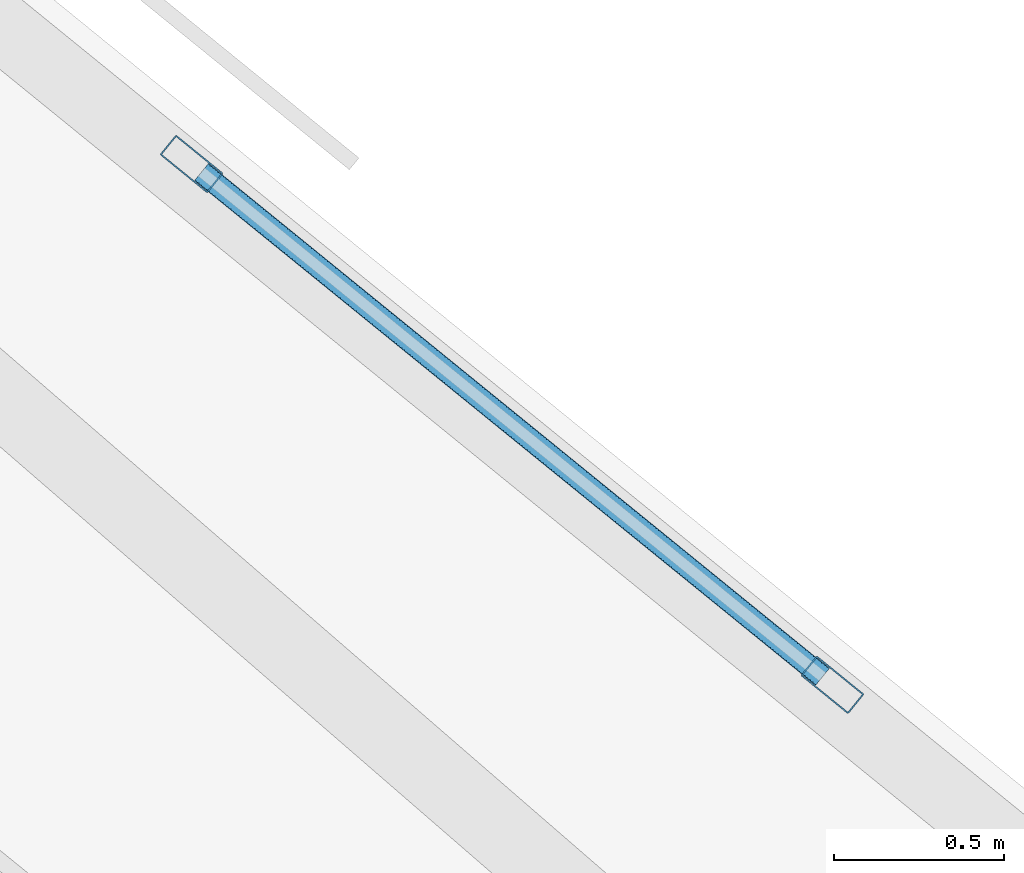
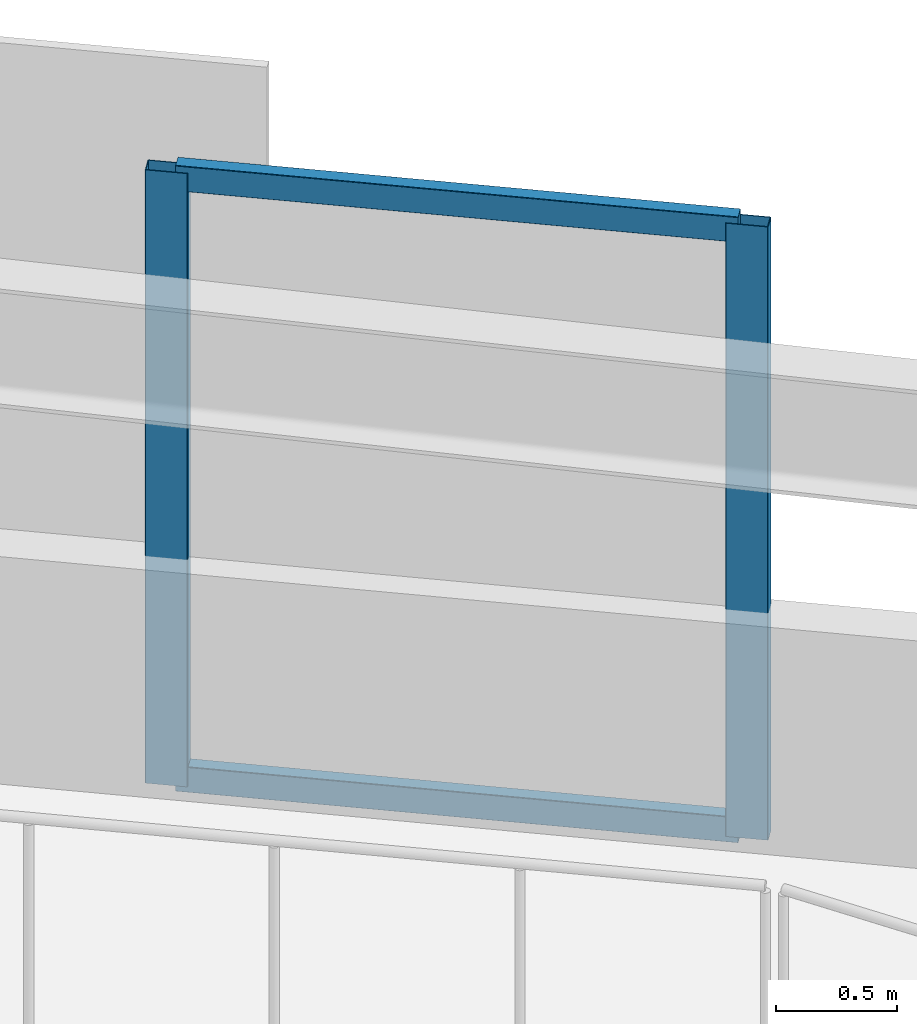
# One storey, part 2 of 17: 4 members, 1 element without a shape of its own.
"""IFC4 building model written with IfcOpenShell, lengths in metres."""

from ifc_helpers import new_model, si_unit, direction, frame, origin, origin_2d, place, context, subcontext, project, spatial, hollow_rectangle, extrude, material, material_profile, profile_set, type_object, element, aggregate, save


model = new_model("IFC4")

# Units and contexts
model_context = context("Model", 3, precision=1e-05, world=origin(), true_north=direction((0.0, 1.0)))
body_context = subcontext(model_context, "Body", "Model", "MODEL_VIEW")
ifc_project = project(units=[si_unit("LENGTHUNIT", "METRE"), si_unit("AREAUNIT", "SQUARE_METRE"), si_unit("VOLUMEUNIT", "CUBIC_METRE"), si_unit("PLANEANGLEUNIT", "RADIAN"), si_unit("MASSUNIT", "GRAM", prefix="KILO")], contexts=[model_context])

# Site, building, storey
site_placement = place(None, origin())
site = spatial("IfcSite", under=ifc_project, at=site_placement, CompositionType="ELEMENT")
building_placement = place(site_placement, origin())
building = spatial("IfcBuilding", under=site, at=building_placement, Name="Narakoshi Arena Tower", CompositionType="ELEMENT")
storey_placement = place(building_placement, frame((0.0, 0.0, 55.5)))
storey = spatial("IfcBuildingStorey", under=building, at=storey_placement, Name="L14", CompositionType="ELEMENT", Elevation=55.5)

# Curtain wall, members
ifc_material = material(Name="Anodised bronze aluminium 6063-T6", Category="aluminium")
curtain_wall_type = type_object("IfcCurtainWallType", Name="CW-HYP-LOW", PredefinedType="NOTDEFINED", material=ifc_material)
curtain_wall_placement = place(storey_placement, origin())
curtain_wall = element("IfcCurtainWall", 1, at=curtain_wall_placement, inside=storey, type_object=curtain_wall_type, Name="L14 Folded Hypotenuse Curtain Wall 2-1", PredefinedType="NOTDEFINED")
ifc_material_profile_1 = material_profile(ifc_material, hollow_rectangle(XDim=0.074951171875, YDim=0.179931640625, WallThickness=0.00390625, OuterFilletRadius=0.0048828125, at=origin_2d()), Name="MUL180x75x4")
ifc_profile_set_1 = profile_set([ifc_material_profile_1], Name="Anodised bronze aluminium 6063-T6")
member_type_1 = type_object("IfcMemberType", Name="MEM-MUL-180", PredefinedType="MULLION", material=ifc_profile_set_1)
member_1_placement = place(storey_placement, frame((93.34521484375, 59.196533203125, 0.0), z_axis=(0.0, 0.0, 1.0), x_axis=(-0.63072316495, -0.776007918256, 0.0)))
member_1 = element("IfcMember", 2, at=member_1_placement, type_object=member_type_1, Name="CW-01 mullion 1", PredefinedType="MULLION", context=body_context, shape_type="SweptSolid", body=[
    extrude(hollow_rectangle(XDim=0.074951171875, YDim=0.179931640625, WallThickness=0.00390625, OuterFilletRadius=0.0048828125, at=origin_2d()), origin(), (0.0, 0.0, 1.0), 3.10009765625),
])
member_2_placement = place(storey_placement, frame((91.45654296875, 60.731689453125, 0.0), z_axis=(0.0, 0.0, 1.0), x_axis=(-0.63072316495, -0.776007918256, 0.0)))
member_2 = element("IfcMember", 3, at=member_2_placement, type_object=member_type_1, Name="CW-01 mullion 2", PredefinedType="MULLION", context=body_context, shape_type="SweptSolid", body=[
    extrude(hollow_rectangle(XDim=0.074951171875, YDim=0.179931640625, WallThickness=0.00390625, OuterFilletRadius=0.0048828125, at=origin_2d()), origin(), (0.0, 0.0, 1.0), 3.10009765625),
])
ifc_material_profile_2 = material_profile(ifc_material, hollow_rectangle(XDim=0.06494140625, YDim=0.1298828125, WallThickness=0.00390625, OuterFilletRadius=0.0048828125, at=origin_2d()), Name="TRN130x65x4")
ifc_profile_set_2 = profile_set([ifc_material_profile_2], Name="Anodised bronze aluminium 6063-T6")
member_type_2 = type_object("IfcMemberType", Name="MEM-TRN-130", PredefinedType="USERDEFINED", material=ifc_profile_set_2)
member_3_placement = place(storey_placement, frame((93.316162109375, 59.22021484375, 0.032470703125), z_axis=(-0.776019017778, 0.630709508448, 0.0), x_axis=(-0.630709508448, -0.776019017778, 0.0)))
member_3 = element("IfcMember", 4, at=member_3_placement, type_object=member_type_2, Name="CW-01 transom 1.1", ObjectType="TRANSOM", PredefinedType="USERDEFINED", context=body_context, shape_type="SweptSolid", body=[
    extrude(hollow_rectangle(XDim=0.06494140625, YDim=0.1298828125, WallThickness=0.00390625, OuterFilletRadius=0.0048828125, at=origin_2d()), origin(), (0.0, 0.0, 1.0), 2.35888671875),
])
member_4_placement = place(storey_placement, frame((93.316162109375, 59.22021484375, 3.0673828125), z_axis=(-0.776019017778, 0.630709508448, 0.0), x_axis=(-0.630709508448, -0.776019017778, 0.0)))
member_4 = element("IfcMember", 5, at=member_4_placement, type_object=member_type_2, Name="CW-01 transom 1.2", ObjectType="TRANSOM", PredefinedType="USERDEFINED", context=body_context, shape_type="SweptSolid", body=[
    extrude(hollow_rectangle(XDim=0.06494140625, YDim=0.1298828125, WallThickness=0.00390625, OuterFilletRadius=0.0048828125, at=origin_2d()), origin(), (0.0, 0.0, 1.0), 2.35888671875),
])
aggregate(curtain_wall, [member_1, member_2, member_3, member_4])

save(model, "model.ifc")
